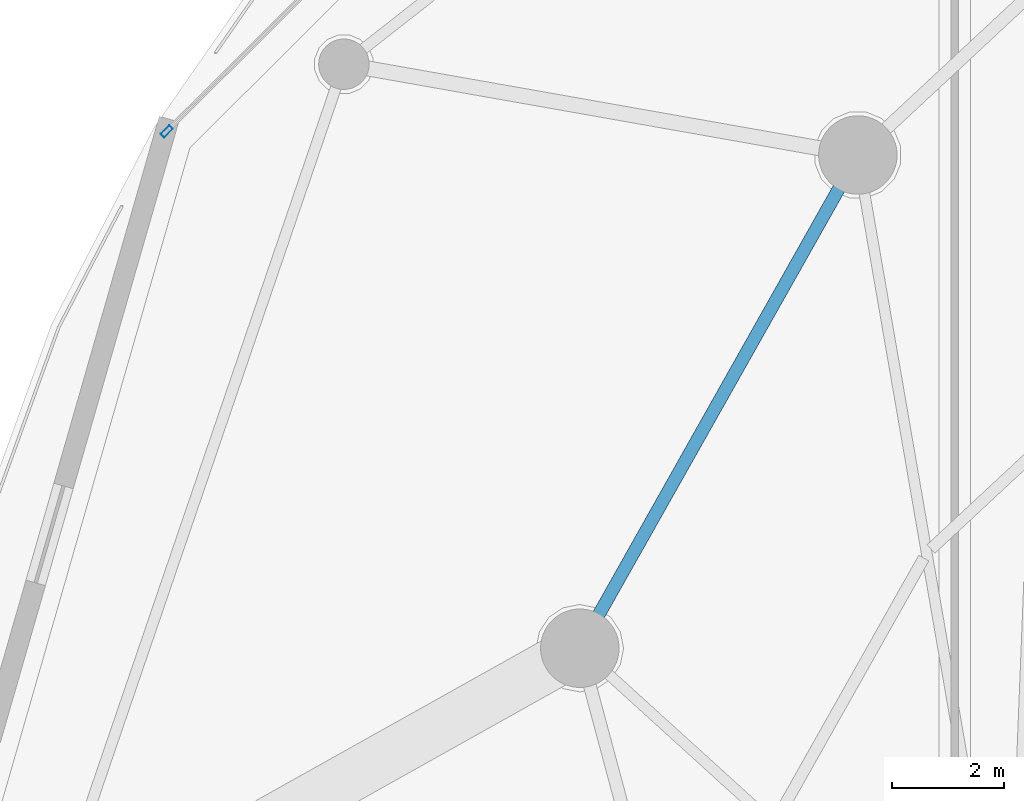
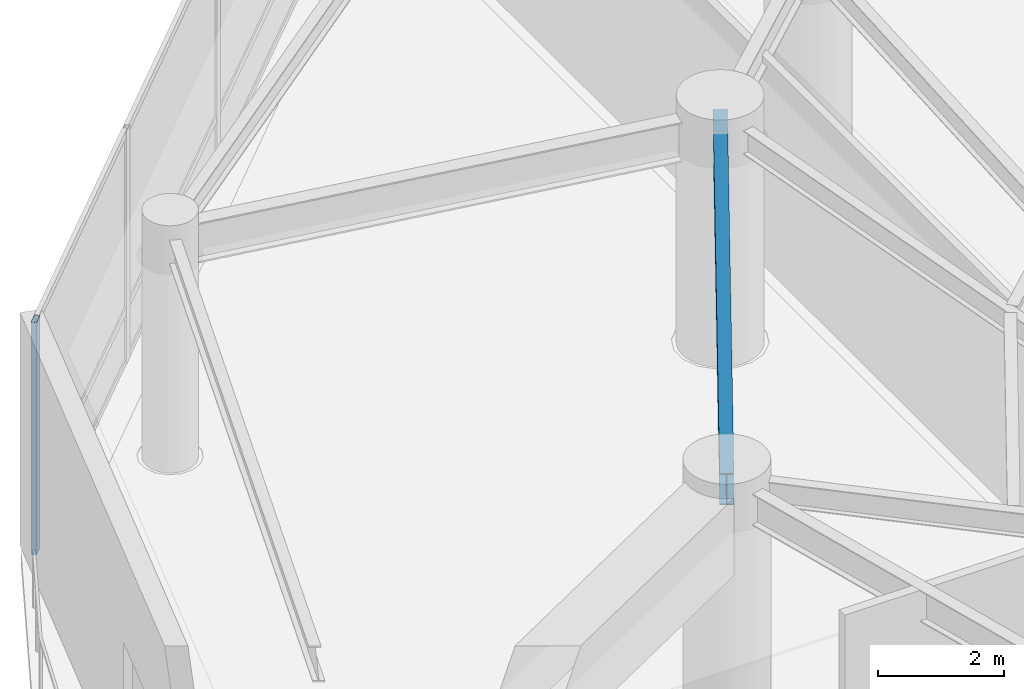
# One storey, part 6 of 36: 1 beam, 1 member, 1 element without a shape of its own.
"""IFC4 building model written with IfcOpenShell, lengths in metres."""

from ifc_helpers import new_model, si_unit, direction, frame, origin, origin_2d, place, context, subcontext, project, spatial, hollow_rectangle, i_section, extrude, material, layer, layer_set, material_profile, profile_set, type_object, element, aggregate, save


model = new_model("IFC4")

# Units and contexts
model_context = context("Model", 3, precision=1e-05, world=origin(), true_north=direction((0.0, 1.0)))
body_context = subcontext(model_context, "Body", "Model", "MODEL_VIEW")
ifc_project = project(units=[si_unit("LENGTHUNIT", "METRE"), si_unit("AREAUNIT", "SQUARE_METRE"), si_unit("VOLUMEUNIT", "CUBIC_METRE"), si_unit("PLANEANGLEUNIT", "RADIAN"), si_unit("MASSUNIT", "GRAM", prefix="KILO")], contexts=[model_context])

# Site, building, storey
site_placement = place(None, origin())
site = spatial("IfcSite", under=ifc_project, at=site_placement, CompositionType="ELEMENT")
building_placement = place(site_placement, origin())
building = spatial("IfcBuilding", under=site, at=building_placement, Name="Kazevale Care Tower and Concert Hall", CompositionType="ELEMENT")
storey_placement = place(building_placement, frame((0.0, 0.0, 14.39990234375)))
storey = spatial("IfcBuildingStorey", under=building, at=storey_placement, Name="L03", CompositionType="ELEMENT", Elevation=14.39990234375)

# Curtain wall, member
ifc_material_1 = material(Name="Aluminium 6063-T6 and Low-E Glass", Category="aluminium")
ifc_layer = layer(ifc_material_1, 0.179931640625)
ifc_layer_set = layer_set([ifc_layer], Name="Aluminium 6063-T6 and Low-E Glass")
curtain_wall_type = type_object("IfcCurtainWallType", Name="Podium Double-Skin Medical Curtain Wall CW-1", PredefinedType="NOTDEFINED", material=ifc_layer_set)
curtain_wall_placement = place(storey_placement, origin())
curtain_wall = element("IfcCurtainWall", 1, at=curtain_wall_placement, inside=storey, type_object=curtain_wall_type, Name="cw:L03:pod:06", PredefinedType="NOTDEFINED")
ifc_material_2 = material(Name="Aluminium 6063-T6", Category="aluminium")
ifc_material_profile_1 = material_profile(ifc_material_2, hollow_rectangle(XDim=0.090087890625, YDim=0.219970703125, WallThickness=0.0048828125, at=origin_2d()), Name="ALU90x220x5")
ifc_profile_set_1 = profile_set([ifc_material_profile_1], Name="Aluminium 6063-T6")
member_type = type_object("IfcMemberType", Name="CW-1 Mullion ALU90x220x5", PredefinedType="MULLION", material=ifc_profile_set_1)
member_placement = place(storey_placement, frame((6.93896484375, 52.601806640625, 0.0), z_axis=(0.0, 0.0, 1.0), x_axis=(0.705655814257, -0.708554776856, 0.0)))
member = element("IfcMember", 2, at=member_placement, type_object=member_type, Name="CW-1 mullion 4", PredefinedType="MULLION", context=body_context, shape_type="SweptSolid", body=[
    extrude(hollow_rectangle(XDim=0.090087890625, YDim=0.219970703125, WallThickness=0.0048828125, at=origin_2d()), origin(), (0.0, 0.0, 1.0), 4.52001953125),
])
aggregate(curtain_wall, [member])

# Beam
ifc_material_3 = material(Name="Steel ASTM A572 Gr 50", Category="steel")
ifc_material_profile_2 = material_profile(ifc_material_3, i_section(OverallWidth=0.22900390625, OverallDepth=0.612060546875, WebThickness=0.011962890625, FlangeThickness=0.01953125, at=origin_2d()), Name="W610x125")
ifc_profile_set_2 = profile_set([ifc_material_profile_2], Name="Steel ASTM A572 Gr 50")
beam_type = type_object("IfcBeamType", Name="Ring Spandrel Beam W610x125", PredefinedType="SPANDREL", material=ifc_profile_set_2)
beam_placement = place(storey_placement, frame((19.27001953125, 52.179931640625, 4.214111328125), z_axis=(-0.491008061092, -0.87115502865, 0.0), x_axis=(0.87115502865, -0.491008061092, 0.0)))
element("IfcBeam", 3, at=beam_placement, inside=storey, type_object=beam_type, Name="beam:L03:ring:08", PredefinedType="SPANDREL", context=body_context, shape_type="SweptSolid", body=[
    extrude(i_section(OverallWidth=0.22900390625, OverallDepth=0.612060546875, WebThickness=0.011962890625, FlangeThickness=0.01953125, at=origin_2d()), origin(), (0.0, 0.0, 1.0), 10.1015625),
])

save(model, "model.ifc")
